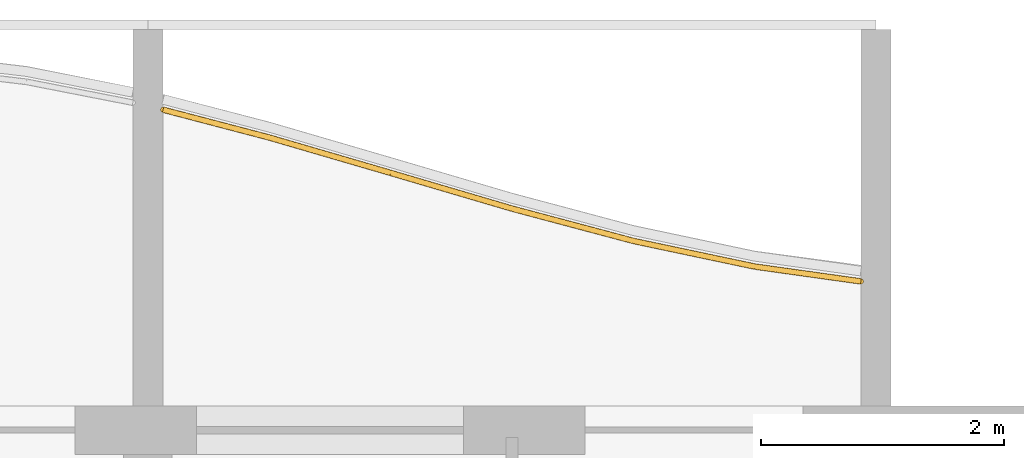
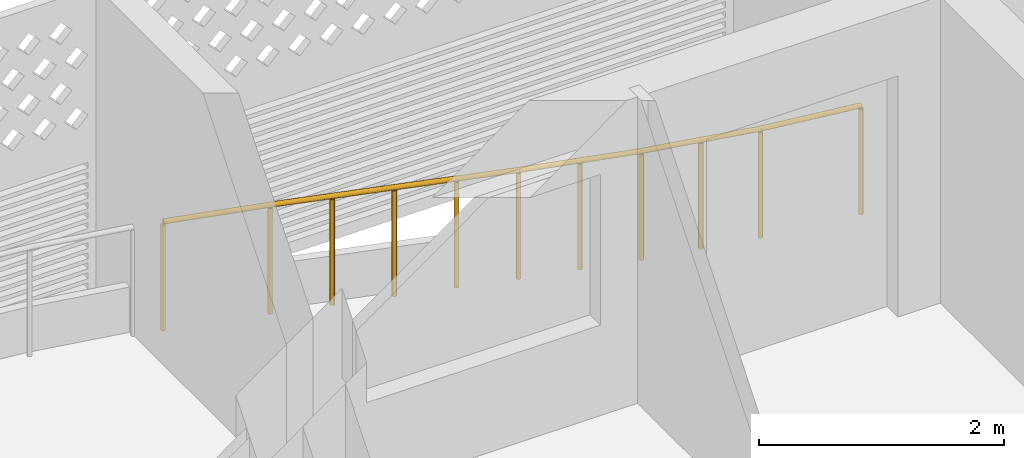
# One storey, part 39 of 40: 1 railing.
"""IFC4 building model written with IfcOpenShell, lengths in metres."""

from ifc_helpers import new_model, si_unit, direction, frame, origin, origin_2d, place, context, subcontext, project, spatial, circle, extrude, material, type_object, element, save


model = new_model("IFC4")

# Units and contexts
model_context = context("Model", 3, precision=1e-05, world=origin(), true_north=direction((0.0, 1.0)))
body_context = subcontext(model_context, "Body", "Model", "MODEL_VIEW")
ifc_project = project(units=[si_unit("LENGTHUNIT", "METRE"), si_unit("AREAUNIT", "SQUARE_METRE"), si_unit("VOLUMEUNIT", "CUBIC_METRE"), si_unit("PLANEANGLEUNIT", "RADIAN"), si_unit("MASSUNIT", "GRAM", prefix="KILO")], contexts=[model_context])

# Site, building, storey
site_placement = place(None, origin())
site = spatial("IfcSite", under=ifc_project, at=site_placement, CompositionType="ELEMENT")
building_placement = place(site_placement, origin())
building = spatial("IfcBuilding", under=site, at=building_placement, Name="Poui Terraces", CompositionType="ELEMENT")
storey_placement = place(building_placement, frame((0.0, 0.0, 36.60009765625)))
storey = spatial("IfcBuildingStorey", under=building, at=storey_placement, Name="L09", CompositionType="ELEMENT", Elevation=36.60009765625)

# Railing
ifc_material = material(Name="Painted steel fretwork", Category="steel")
railing_type = type_object("IfcRailingType", Name="BALCONY GUARD 1100", PredefinedType="GUARDRAIL", material=ifc_material)
railing_placement = place(storey_placement, frame((90.125, 47.440673828125, 0.0)))
element("IfcRailing", 1, at=railing_placement, inside=storey, type_object=railing_type, Name="BALCONY GUARD", PredefinedType="GUARDRAIL", context=body_context, shape_type="SweptSolid", body=[
    extrude(circle(Radius=0.02392578125, at=origin_2d()), frame((0.0, 0.0, 1.076171875), z_axis=(0.967350168879, -0.253443584983, 0.0), x_axis=(0.253443584983, 0.967350168879, 0.0)), (0.0, 0.0, 1.0), 0.904541015625),
    extrude(circle(Radius=0.02392578125, at=origin_2d()), frame((0.875, -0.229248046875, 1.076171875), z_axis=(0.960041991036, -0.279855990551, 0.0), x_axis=(0.279855990551, 0.960041991036, 0.0)), (0.0, 0.0, 1.0), 1.04150390625),
    extrude(circle(Radius=0.02392578125, at=origin_2d()), frame((1.875, -0.520751953125, 1.076171875), z_axis=(0.959346851742, -0.282229725671, 0.0), x_axis=(0.282229725671, 0.959346851742, 0.0)), (0.0, 0.0, 1.0), 1.04248046875),
    extrude(circle(Radius=0.02392578125, at=origin_2d()), frame((2.875, -0.81494140625, 1.076171875), z_axis=(0.966309295868, -0.257383652781, 0.0), x_axis=(0.257383652781, 0.966309295868, 0.0)), (0.0, 0.0, 1.0), 1.034912109375),
    extrude(circle(Radius=0.02392578125, at=origin_2d()), frame((3.875, -1.081298828125, 1.076171875), z_axis=(0.978420335295, -0.206624411629, 0.0), x_axis=(0.206624411629, 0.978420335295, 0.0)), (0.0, 0.0, 1.0), 1.02197265625),
    extrude(circle(Radius=0.02392578125, at=origin_2d()), frame((4.875, -1.29248046875, 1.076171875), z_axis=(0.990370561687, -0.138441867021, 0.0), x_axis=(0.138441867021, 0.990370561687, 0.0)), (0.0, 0.0, 1.0), 0.883544921875),
    extrude(circle(Radius=0.02099609375, at=origin_2d()), origin(), (0.0, 0.0, 1.0), 1.052001953125),
    extrude(circle(Radius=0.02099609375, at=origin_2d()), frame((0.875, -0.229248046875, 0.0)), (0.0, 0.0, 1.0), 1.052001953125),
    extrude(circle(Radius=0.02099609375, at=origin_2d()), frame((1.375, -0.375, 0.0)), (0.0, 0.0, 1.0), 1.052001953125),
    extrude(circle(Radius=0.02099609375, at=origin_2d()), frame((1.875, -0.520751953125, 0.0)), (0.0, 0.0, 1.0), 1.052001953125),
    extrude(circle(Radius=0.02099609375, at=origin_2d()), frame((2.375, -0.66796875, 0.0)), (0.0, 0.0, 1.0), 1.052001953125),
    extrude(circle(Radius=0.02099609375, at=origin_2d()), frame((2.875, -0.81494140625, 0.0)), (0.0, 0.0, 1.0), 1.052001953125),
    extrude(circle(Radius=0.02099609375, at=origin_2d()), frame((3.375, -0.9482421875, 0.0)), (0.0, 0.0, 1.0), 1.052001953125),
    extrude(circle(Radius=0.02099609375, at=origin_2d()), frame((3.875, -1.081298828125, 0.0)), (0.0, 0.0, 1.0), 1.052001953125),
    extrude(circle(Radius=0.02099609375, at=origin_2d()), frame((4.375, -1.18701171875, 0.0)), (0.0, 0.0, 1.0), 1.052001953125),
    extrude(circle(Radius=0.02099609375, at=origin_2d()), frame((4.875, -1.29248046875, 0.0)), (0.0, 0.0, 1.0), 1.052001953125),
    extrude(circle(Radius=0.02099609375, at=origin_2d()), frame((5.75, -1.414794921875, 0.0)), (0.0, 0.0, 1.0), 1.052001953125),
])

save(model, "model.ifc")
